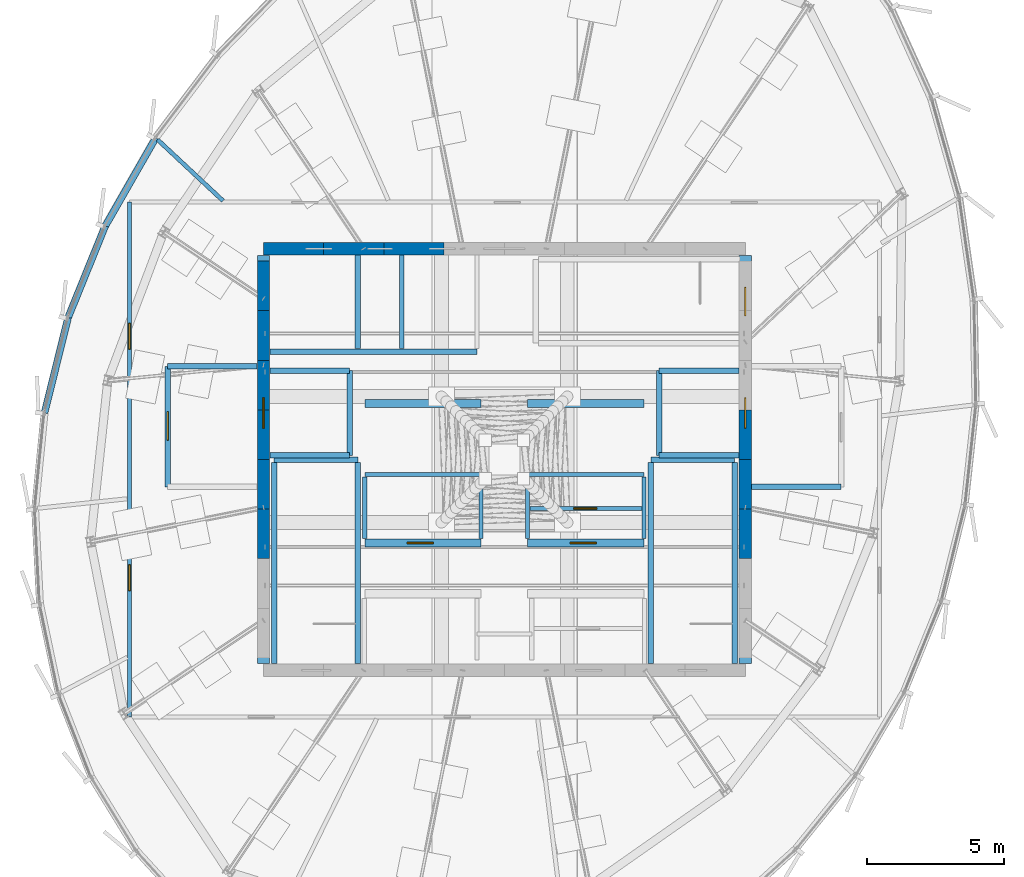
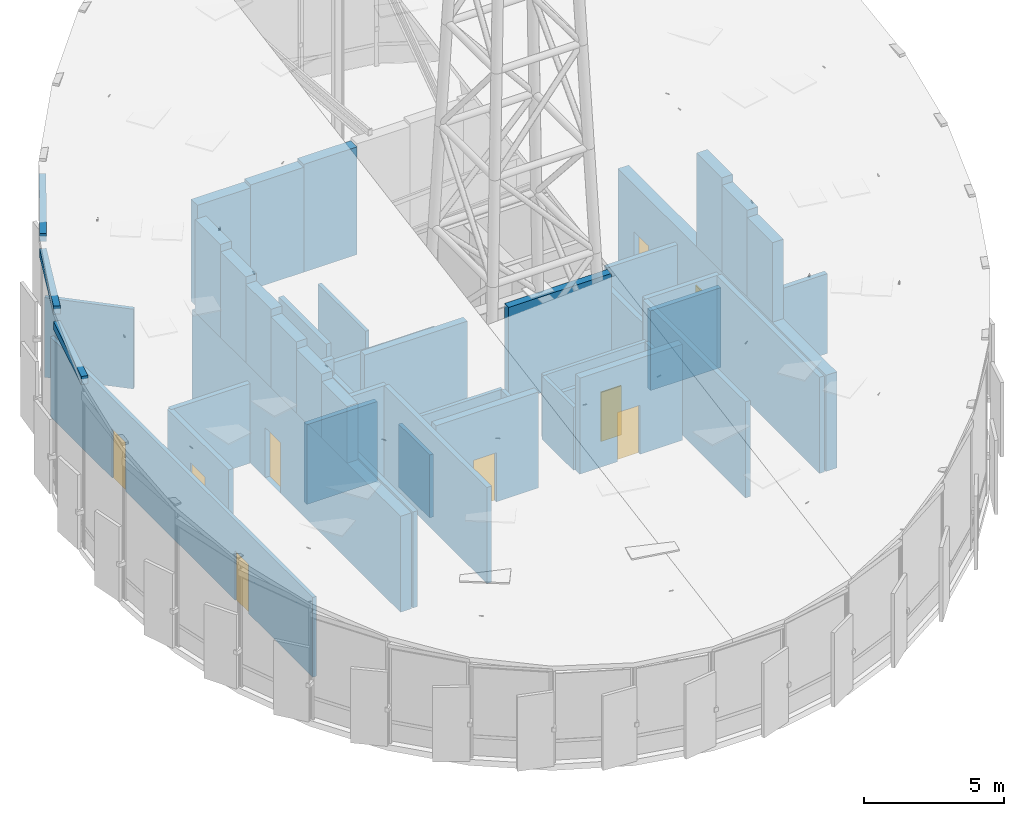
# One storey, part 33 of 36: 48 walls, 9 doors, 9 openings.
"""IFC4 building model written with IfcOpenShell, lengths in metres."""

from ifc_helpers import new_model, si_unit, direction, frame, frame_2d, origin, place, context, subcontext, project, spatial, rectangle, extrude, source, transform, mapped, material, layer, layer_set, type_object, element, fill, save


model = new_model("IFC4")

# Units and contexts
model_context = context("Model", 3, precision=1e-05, world=origin(), true_north=direction((0.0, 1.0)))
body_context = subcontext(model_context, "Body", "Model", "MODEL_VIEW")
ifc_project = project(units=[si_unit("LENGTHUNIT", "METRE"), si_unit("AREAUNIT", "SQUARE_METRE"), si_unit("VOLUMEUNIT", "CUBIC_METRE"), si_unit("PLANEANGLEUNIT", "RADIAN"), si_unit("MASSUNIT", "GRAM", prefix="KILO"), si_unit("THERMODYNAMICTEMPERATUREUNIT", "KELVIN")], contexts=[model_context])

# Site, building, storey
site_placement = place(None, origin())
site = spatial("IfcSite", under=ifc_project, at=site_placement, CompositionType="ELEMENT")
building_placement = place(site_placement, origin())
building = spatial("IfcBuilding", under=site, at=building_placement, Name="Kethvar Cultural Tower", CompositionType="ELEMENT")
storey_placement = place(building_placement, frame((0.0, 0.0, 324.300048828125)))
storey = spatial("IfcBuildingStorey", under=building, at=storey_placement, Name="L86", CompositionType="ELEMENT", Elevation=324.300048828125)

# Wall, opening, door
ifc_material_1 = material(Name="Concrete C50/60", Category="concrete")
ifc_layer_1 = layer(ifc_material_1, 0.449951171875, Name="Concrete C50/60", Category="concrete")
ifc_layer_set_1 = layer_set([ifc_layer_1], Name="Concrete C50/60 (450 mm)")
wall_type_1 = type_object("IfcWallType", Name="WL-CORE-450", PredefinedType="SHEAR", material=ifc_layer_set_1)
wall_1_placement = place(storey_placement, frame((38.0, 35.260009765625, 0.0), z_axis=(0.0, 0.0, 1.0), x_axis=(0.0, -1.0, 0.0)))
wall_1 = element("IfcWall", 1, at=wall_1_placement, inside=storey, type_object=wall_type_1, Name="L86 Core Shear Wall W", PredefinedType="SHEAR", context=body_context, shape_type="SweptSolid", body=[
    extrude(rectangle(XDim=14.919921875, YDim=0.449951171875, at=frame_2d((7.4599609375, 0.0))), origin(), (0.0, 0.0, 1.0), 4.199951171875),
])
opening_1_placement = place(wall_1_placement, frame((5.2099609375, 0.0, 0.0)))
opening_1 = element("IfcOpeningElement", 2, at=opening_1_placement, cuts=wall_1, Name="Opening LD-1", PredefinedType="OPENING", context=body_context, shape_type="SweptSolid", body=[
    extrude(rectangle(XDim=1.10009765625, YDim=2.199951171875, at=frame_2d((0.550048828125, 1.10009765625))), frame((0.0, 0.23486328125, 0.0), z_axis=(0.0, -1.0, 0.0), x_axis=(1.0, 0.0, 0.0)), (0.0, 0.0, 1.0), 0.469970703125),
])
ifc_material_2 = material(Name="Steel S355J2", Category="steel")
door_type_1 = type_object("IfcDoorType", Name="DR-LIFT-SLIDE-1100", OperationType="NOTDEFINED", PredefinedType="DOOR", material=ifc_material_2)
shared_shape_1 = source(origin(), body_context, "Body", "SweptSolid", [
    extrude(rectangle(XDim=1.10009765625, YDim=2.199951171875, at=frame_2d((0.550048828125, 1.10009765625))), frame((0.0, 0.02490234375, 0.0), z_axis=(0.0, -1.0, 0.0), x_axis=(1.0, 0.0, 0.0)), (0.0, 0.0, 1.0), 0.050048828125),
])
door_1_placement = place(opening_1_placement, origin())
door_1 = element("IfcDoor", 3, at=door_1_placement, inside=storey, type_object=door_type_1, Name="L86 Firefighting Lift Landing Door FFL-01", OperationType="SLIDING_TO_LEFT", OverallHeight=2.199951171875, OverallWidth=1.10009765625, PredefinedType="DOOR", context=body_context, shape_type="MappedRepresentation", body=[
    mapped(shared_shape_1, transform((0.0, 0.0, 0.0), scale=1.0)),
])
fill(opening_1, door_1)

# Wall, openings, doors
wall_2_placement = place(storey_placement, frame((55.60009765625, 20.340087890625, 0.0), z_axis=(0.0, 0.0, 1.0), x_axis=(0.0, 1.0, 0.0)))
wall_2 = element("IfcWall", 4, at=wall_2_placement, inside=storey, type_object=wall_type_1, Name="L86 Core Shear Wall E", PredefinedType="SHEAR", context=body_context, shape_type="SweptSolid", body=[
    extrude(rectangle(XDim=14.919921875, YDim=0.449951171875, at=frame_2d((7.4599609375, 0.0))), origin(), (0.0, 0.0, 1.0), 4.199951171875),
])
opening_2_placement = place(wall_2_placement, frame((12.7099609375, 0.0, 0.0)))
opening_2 = element("IfcOpeningElement", 5, at=opening_2_placement, cuts=wall_2, Name="Opening D-L86-S3", PredefinedType="OPENING", context=body_context, shape_type="SweptSolid", body=[
    extrude(rectangle(XDim=1.050048828125, YDim=2.14990234375, at=frame_2d((0.52490234375, 1.074951171875))), frame((0.0, 0.23486328125, 0.0), z_axis=(0.0, -1.0, 0.0), x_axis=(1.0, 0.0, 0.0)), (0.0, 0.0, 1.0), 0.469970703125),
])
opening_3_placement = place(wall_2_placement, frame((8.610107421875, 0.0, 0.0)))
opening_3 = element("IfcOpeningElement", 6, at=opening_3_placement, cuts=wall_2, Name="Opening LD-2", PredefinedType="OPENING", context=body_context, shape_type="SweptSolid", body=[
    extrude(rectangle(XDim=1.10009765625, YDim=2.199951171875, at=frame_2d((0.550048828125, 1.10009765625))), frame((0.0, 0.23486328125, 0.0), z_axis=(0.0, -1.0, 0.0), x_axis=(1.0, 0.0, 0.0)), (0.0, 0.0, 1.0), 0.469970703125),
])
door_type_2 = type_object("IfcDoorType", Name="DR-FD60-1050", OperationType="NOTDEFINED", PredefinedType="DOOR", material=ifc_material_2)
shared_shape_2 = source(origin(), body_context, "Body", "SweptSolid", [
    extrude(rectangle(XDim=1.050048828125, YDim=2.14990234375, at=frame_2d((0.52490234375, 1.074951171875))), frame((0.0, 0.02490234375, 0.0), z_axis=(0.0, -1.0, 0.0), x_axis=(1.0, 0.0, 0.0)), (0.0, 0.0, 1.0), 0.050048828125),
])
door_2_placement = place(opening_2_placement, origin())
door_2 = element("IfcDoor", 7, at=door_2_placement, inside=storey, type_object=door_type_2, Name="L86 Exit Stair 3 Door", OperationType="SINGLE_SWING_LEFT", OverallHeight=2.14990234375, OverallWidth=1.050048828125, PredefinedType="DOOR", context=body_context, shape_type="MappedRepresentation", body=[
    mapped(shared_shape_2, transform((0.0, 0.0, 0.0), scale=1.0)),
])
fill(opening_2, door_2)
door_3_placement = place(opening_3_placement, origin())
door_3 = element("IfcDoor", 8, at=door_3_placement, inside=storey, type_object=door_type_1, Name="L86 Firefighting Lift Landing Door FFL-02", OperationType="SLIDING_TO_RIGHT", OverallHeight=2.199951171875, OverallWidth=1.10009765625, PredefinedType="DOOR", context=body_context, shape_type="MappedRepresentation", body=[
    mapped(shared_shape_1, transform((0.0, 0.0, 0.0), scale=1.0)),
])
fill(opening_3, door_3)

# Walls
wall_3_placement = place(storey_placement, frame((44.60009765625, 35.5, 4.199951171875), z_axis=(0.0, 0.0, 1.0), x_axis=(-1.0, 0.0, 0.0)))
element("IfcWall", 9, at=wall_3_placement, inside=storey, type_object=wall_type_1, Name="L86 Crown Roof Core Bearing Stub N6", PredefinedType="SHEAR", context=body_context, shape_type="SweptSolid", body=[
    extrude(rectangle(XDim=2.2001953125, YDim=0.449951171875, at=frame_2d((1.10009765625, 0.0))), origin(), (0.0, 0.0, 1.0), 4.713134765625),
])
wall_4_placement = place(storey_placement, frame((42.39990234375, 35.5, 4.199951171875), z_axis=(0.0, 0.0, 1.0), x_axis=(-1.0, 0.0, 0.0)))
element("IfcWall", 10, at=wall_4_placement, inside=storey, type_object=wall_type_1, Name="L86 Crown Roof Core Bearing Stub N7", PredefinedType="SHEAR", context=body_context, shape_type="SweptSolid", body=[
    extrude(rectangle(XDim=2.199951171875, YDim=0.449951171875, at=frame_2d((1.10009765625, 0.0))), origin(), (0.0, 0.0, 1.0), 4.58740234375),
])
wall_5_placement = place(storey_placement, frame((40.199951171875, 35.5, 4.199951171875), z_axis=(0.0, 0.0, 1.0), x_axis=(-1.0, 0.0, 0.0)))
element("IfcWall", 11, at=wall_5_placement, inside=storey, type_object=wall_type_1, Name="L86 Crown Roof Core Bearing Stub N8", PredefinedType="SHEAR", context=body_context, shape_type="SweptSolid", body=[
    extrude(rectangle(XDim=2.199951171875, YDim=0.449951171875, at=frame_2d((1.10009765625, 0.0))), origin(), (0.0, 0.0, 1.0), 4.461669921875),
])
wall_6_placement = place(storey_placement, frame((38.0, 35.050048828125, 4.199951171875), z_axis=(0.0, 0.0, 1.0), x_axis=(0.0, -1.0, 0.0)))
element("IfcWall", 12, at=wall_6_placement, inside=storey, type_object=wall_type_1, Name="L86 Crown Roof Core Bearing Stub W1", PredefinedType="SHEAR", context=body_context, shape_type="SweptSolid", body=[
    extrude(rectangle(XDim=1.8125, YDim=0.449951171875, at=frame_2d((0.90625, 0.0))), origin(), (0.0, 0.0, 1.0), 4.063720703125),
])
wall_7_placement = place(storey_placement, frame((38.0, 33.237548828125, 4.199951171875), z_axis=(0.0, 0.0, 1.0), x_axis=(0.0, -1.0, 0.0)))
element("IfcWall", 13, at=wall_7_placement, inside=storey, type_object=wall_type_1, Name="L86 Crown Roof Core Bearing Stub W2", PredefinedType="SHEAR", context=body_context, shape_type="SweptSolid", body=[
    extrude(rectangle(XDim=1.8125, YDim=0.449951171875, at=frame_2d((0.90625, 0.0))), origin(), (0.0, 0.0, 1.0), 3.74462890625),
])
wall_8_placement = place(storey_placement, frame((38.0, 31.425048828125, 4.199951171875), z_axis=(0.0, 0.0, 1.0), x_axis=(0.0, -1.0, 0.0)))
element("IfcWall", 14, at=wall_8_placement, inside=storey, type_object=wall_type_1, Name="L86 Crown Roof Core Bearing Stub W3", PredefinedType="SHEAR", context=body_context, shape_type="SweptSolid", body=[
    extrude(rectangle(XDim=1.8125, YDim=0.449951171875, at=frame_2d((0.90625, 0.0))), origin(), (0.0, 0.0, 1.0), 3.42578125),
])
wall_9_placement = place(storey_placement, frame((38.0, 29.612548828125, 4.199951171875), z_axis=(0.0, 0.0, 1.0), x_axis=(0.0, -1.0, 0.0)))
element("IfcWall", 15, at=wall_9_placement, inside=storey, type_object=wall_type_1, Name="L86 Crown Roof Core Bearing Stub W4", PredefinedType="SHEAR", context=body_context, shape_type="SweptSolid", body=[
    extrude(rectangle(XDim=1.8125, YDim=0.449951171875, at=frame_2d((0.90625, 0.0))), origin(), (0.0, 0.0, 1.0), 3.10693359375),
])
wall_10_placement = place(storey_placement, frame((38.0, 27.800048828125, 4.199951171875), z_axis=(0.0, 0.0, 1.0), x_axis=(0.0, -1.0, 0.0)))
element("IfcWall", 16, at=wall_10_placement, inside=storey, type_object=wall_type_1, Name="L86 Crown Roof Core Bearing Stub W5", PredefinedType="SHEAR", context=body_context, shape_type="SweptSolid", body=[
    extrude(rectangle(XDim=1.8125, YDim=0.449951171875, at=frame_2d((0.90625, 0.0))), origin(), (0.0, 0.0, 1.0), 2.7880859375),
])
wall_11_placement = place(storey_placement, frame((38.0, 25.987548828125, 4.199951171875), z_axis=(0.0, 0.0, 1.0), x_axis=(0.0, -1.0, 0.0)))
element("IfcWall", 17, at=wall_11_placement, inside=storey, type_object=wall_type_1, Name="L86 Crown Roof Core Bearing Stub W6", PredefinedType="SHEAR", context=body_context, shape_type="SweptSolid", body=[
    extrude(rectangle(XDim=1.8125, YDim=0.449951171875, at=frame_2d((0.90625, 0.0))), origin(), (0.0, 0.0, 1.0), 2.468994140625),
])
wall_12_placement = place(storey_placement, frame((55.60009765625, 24.175048828125, 4.199951171875), z_axis=(0.0, 0.0, 1.0), x_axis=(0.0, 1.0, 0.0)))
element("IfcWall", 18, at=wall_12_placement, inside=storey, type_object=wall_type_1, Name="L86 Crown Roof Core Bearing Stub E3", PredefinedType="SHEAR", context=body_context, shape_type="SweptSolid", body=[
    extrude(rectangle(XDim=1.8125, YDim=0.449951171875, at=frame_2d((0.90625, 0.0))), origin(), (0.0, 0.0, 1.0), 3.475341796875),
])
wall_13_placement = place(storey_placement, frame((55.60009765625, 25.987548828125, 4.199951171875), z_axis=(0.0, 0.0, 1.0), x_axis=(0.0, 1.0, 0.0)))
element("IfcWall", 19, at=wall_13_placement, inside=storey, type_object=wall_type_1, Name="L86 Crown Roof Core Bearing Stub E4", PredefinedType="SHEAR", context=body_context, shape_type="SweptSolid", body=[
    extrude(rectangle(XDim=1.8125, YDim=0.449951171875, at=frame_2d((0.90625, 0.0))), origin(), (0.0, 0.0, 1.0), 3.794189453125),
])
wall_14_placement = place(storey_placement, frame((55.60009765625, 27.800048828125, 4.199951171875), z_axis=(0.0, 0.0, 1.0), x_axis=(0.0, 1.0, 0.0)))
element("IfcWall", 20, at=wall_14_placement, inside=storey, type_object=wall_type_1, Name="L86 Crown Roof Core Bearing Stub E5", PredefinedType="SHEAR", context=body_context, shape_type="SweptSolid", body=[
    extrude(rectangle(XDim=1.8125, YDim=0.449951171875, at=frame_2d((0.90625, 0.0))), origin(), (0.0, 0.0, 1.0), 4.113037109375),
])
ifc_material_3 = material(Name="Gypsum Fireboard Partition")
ifc_layer_2 = layer(ifc_material_3, 0.14990234375, Name="Gypsum Fireboard Partition")
ifc_layer_set_2 = layer_set([ifc_layer_2], Name="Gypsum Fireboard Partition (150 mm)")
wall_type_2 = type_object("IfcWallType", Name="WL-FIRE-150", PredefinedType="PARTITIONING", material=ifc_layer_set_2)
for number, where, z_axis, x_axis, name in (
    (21, (41.699951171875, 27.25, 0.0), (0.0, 0.0, 1.0), (1.0, 0.0, 0.0), "L86 Reclaimed Mid Wall W"),
    (22, (47.64990234375, 27.25, 0.0), (0.0, 0.0, 1.0), (1.0, 0.0, 0.0), "L86 Reclaimed Mid Wall E"),
):
    element("IfcWall", number, at=place(storey_placement, frame(where, z_axis=z_axis, x_axis=x_axis)), inside=storey, type_object=wall_type_2, Name=name, PredefinedType="PARTITIONING", context=body_context, shape_type="SweptSolid", body=[
        extrude(rectangle(XDim=4.25, YDim=0.14990234375, at=frame_2d((2.125, 0.0))), origin(), (0.0, 0.0, 1.0), 2.760009765625),
    ])
for number, where, z_axis, x_axis, name in (
    (23, (41.699951171875, 24.919921875, 0.0), (0.0, 0.0, 1.0), (0.0, 1.0, 0.0), "L86 Reclaimed Mid Outer W"),
    (24, (45.949951171875, 24.919921875, 0.0), (0.0, 0.0, 1.0), (0.0, 1.0, 0.0), "L86 Reclaimed Mid Spine W"),
    (25, (47.64990234375, 24.919921875, 0.0), (0.0, 0.0, 1.0), (0.0, 1.0, 0.0), "L86 Reclaimed Mid Spine E"),
    (26, (51.89990234375, 24.919921875, 0.0), (0.0, 0.0, 1.0), (0.0, 1.0, 0.0), "L86 Reclaimed Mid Outer E"),
):
    element("IfcWall", number, at=place(storey_placement, frame(where, z_axis=z_axis, x_axis=x_axis)), inside=storey, type_object=wall_type_2, Name=name, PredefinedType="PARTITIONING", context=body_context, shape_type="SweptSolid", body=[
        extrude(rectangle(XDim=2.239990234375, YDim=0.14990234375, at=frame_2d((1.1201171875, 0.0))), origin(), (0.0, 0.0, 1.0), 2.760009765625),
    ])

# Wall, opening, door
wall_15_placement = place(storey_placement, frame((47.72998046875, 26.010009765625, 0.0), z_axis=(0.0, 0.0, 1.0), x_axis=(1.0, 0.0, 0.0)))
wall_15 = element("IfcWall", 27, at=wall_15_placement, inside=storey, type_object=wall_type_2, Name="L86 Mid Gallery Wall E", PredefinedType="PARTITIONING", context=body_context, shape_type="SweptSolid", body=[
    extrude(rectangle(XDim=4.090087890625, YDim=0.14990234375, at=frame_2d((2.044921875, 0.0))), origin(), (0.0, 0.0, 1.0), 2.760009765625),
])
opening_4_placement = place(wall_15_placement, frame((1.60009765625, 0.0, 0.0)))
opening_4 = element("IfcOpeningElement", 28, at=opening_4_placement, cuts=wall_15, Name="Opening D-L86-M3", PredefinedType="OPENING", context=body_context, shape_type="SweptSolid", body=[
    extrude(rectangle(XDim=0.85009765625, YDim=2.14990234375, at=frame_2d((0.425048828125, 1.074951171875))), frame((0.0, 0.0849609375, 0.0), z_axis=(0.0, -1.0, 0.0), x_axis=(1.0, 0.0, 0.0)), (0.0, 0.0, 1.0), 0.169921875),
])
door_type_3 = type_object("IfcDoorType", Name="DR-FD30-850", OperationType="NOTDEFINED", PredefinedType="DOOR", material=ifc_material_2)
shared_shape_3 = source(origin(), body_context, "Body", "SweptSolid", [
    extrude(rectangle(XDim=0.85009765625, YDim=2.14990234375, at=frame_2d((0.425048828125, 1.074951171875))), frame((0.0, 0.02490234375, 0.0), z_axis=(0.0, -1.0, 0.0), x_axis=(1.0, 0.0, 0.0)), (0.0, 0.0, 1.0), 0.050048828125),
])
door_4_placement = place(opening_4_placement, origin())
door_4 = element("IfcDoor", 29, at=door_4_placement, inside=storey, type_object=door_type_3, Name="L86 UPS Inner Door", OperationType="SINGLE_SWING_RIGHT", OverallHeight=2.14990234375, OverallWidth=0.85009765625, PredefinedType="DOOR", context=body_context, shape_type="MappedRepresentation", body=[
    mapped(shared_shape_3, transform((0.0, 0.0, 0.0), scale=1.0)),
])
fill(opening_4, door_4)

# Wall, openings, doors
wall_16_placement = place(storey_placement, frame((33.10009765625, 37.199951171875, 0.0), z_axis=(0.0, 0.0, 1.0), x_axis=(0.0, -1.0, 0.0)))
wall_16 = element("IfcWall", 30, at=wall_16_placement, inside=storey, type_object=wall_type_2, Name="L86 Corridor Rated Wall W", PredefinedType="PARTITIONING", context=body_context, shape_type="SweptSolid", body=[
    extrude(rectangle(XDim=18.800048828125, YDim=0.14990234375, at=frame_2d((9.39990234375, 0.0))), origin(), (0.0, 0.0, 1.0), 3.489990234375),
])
opening_5_placement = place(wall_16_placement, frame((13.247314453125, 0.0, 0.0)))
opening_5 = element("IfcOpeningElement", 31, at=opening_5_placement, cuts=wall_16, Name="Opening D-L86-01", PredefinedType="OPENING", context=body_context, shape_type="SweptSolid", body=[
    extrude(rectangle(XDim=0.949951171875, YDim=2.14990234375, at=frame_2d((0.47509765625, 1.074951171875))), frame((0.0, 0.0849609375, 0.0), z_axis=(0.0, -1.0, 0.0), x_axis=(1.0, 0.0, 0.0)), (0.0, 0.0, 1.0), 0.169921875),
])
opening_6_placement = place(wall_16_placement, frame((4.428466796875, 0.0, 0.0)))
opening_6 = element("IfcOpeningElement", 32, at=opening_6_placement, cuts=wall_16, Name="Opening D-L86-10", PredefinedType="OPENING", context=body_context, shape_type="SweptSolid", body=[
    extrude(rectangle(XDim=0.949951171875, YDim=2.14990234375, at=frame_2d((0.47509765625, 1.074951171875))), frame((0.0, 0.0849609375, 0.0), z_axis=(0.0, -1.0, 0.0), x_axis=(1.0, 0.0, 0.0)), (0.0, 0.0, 1.0), 0.169921875),
])
ifc_material_4 = material(Name="Architectural Oak Timber", Category="wood")
door_type_4 = type_object("IfcDoorType", Name="DR-FD30-950", OperationType="NOTDEFINED", PredefinedType="DOOR", material=ifc_material_4)
shared_shape_4 = source(origin(), body_context, "Body", "SweptSolid", [
    extrude(rectangle(XDim=0.949951171875, YDim=2.14990234375, at=frame_2d((0.47509765625, 1.074951171875))), frame((0.0, 0.02490234375, 0.0), z_axis=(0.0, -1.0, 0.0), x_axis=(1.0, 0.0, 0.0)), (0.0, 0.0, 1.0), 0.050048828125),
])
door_5_placement = place(opening_5_placement, origin())
door_5 = element("IfcDoor", 33, at=door_5_placement, inside=storey, type_object=door_type_4, Name="L86 Crown Chiller Plant Room 01 Door", OperationType="SINGLE_SWING_LEFT", OverallHeight=2.14990234375, OverallWidth=0.949951171875, PredefinedType="DOOR", context=body_context, shape_type="MappedRepresentation", body=[
    mapped(shared_shape_4, transform((0.0, 0.0, 0.0), scale=1.0)),
])
fill(opening_5, door_5)
door_6_placement = place(opening_6_placement, origin())
door_6 = element("IfcDoor", 34, at=door_6_placement, inside=storey, type_object=door_type_4, Name="L86 Telemetry Equipment Plant Room 10 Door", OperationType="SINGLE_SWING_RIGHT", OverallHeight=2.14990234375, OverallWidth=0.949951171875, PredefinedType="DOOR", context=body_context, shape_type="MappedRepresentation", body=[
    mapped(shared_shape_4, transform((0.0, 0.0, 0.0), scale=1.0)),
])
fill(opening_6, door_6)

# Walls
wall_17_placement = place(storey_placement, frame((36.51806640625, 37.254638671875, 0.0), z_axis=(0.0, 0.0, 1.0), x_axis=(-0.730921171685, 0.682461896946, 0.0)))
element("IfcWall", 35, at=wall_17_placement, inside=storey, type_object=wall_type_2, Name="L86 Radial Partition Wall 10", PredefinedType="PARTITIONING", context=body_context, shape_type="SweptSolid", body=[
    extrude(rectangle(XDim=3.269775390625, YDim=0.14990234375, at=frame_2d((1.634765625, 0.0))), origin(), (0.0, 0.0, 1.0), 3.489990234375),
])
ifc_material_5 = material(Name="Concrete C40/50", Category="concrete")
ifc_layer_3 = layer(ifc_material_5, 0.199951171875, Name="Concrete C40/50", Category="concrete")
ifc_layer_set_3 = layer_set([ifc_layer_3], Name="Concrete C40/50 (200 mm)")
wall_type_3 = type_object("IfcWallType", Name="WL-FIRE-200", PredefinedType="PARTITIONING", material=ifc_layer_set_3)
wall_18_placement = place(storey_placement, frame((41.14990234375, 27.949951171875, 0.0), z_axis=(0.0, 0.0, 1.0), x_axis=(0.0, 1.0, 0.0)))
element("IfcWall", 36, at=wall_18_placement, inside=storey, type_object=wall_type_3, Name="L86 FFL-01 Shaft Inner Wall", PredefinedType="PARTITIONING", context=body_context, shape_type="SweptSolid", body=[
    extrude(rectangle(XDim=3.10009765625, YDim=0.199951171875, at=frame_2d((1.550048828125, 0.0))), origin(), (0.0, 0.0, 1.0), 2.760009765625),
])
for number, where, z_axis, x_axis, name in (
    (37, (38.235107421875, 27.949951171875, 0.0), (0.0, 0.0, 1.0), (1.0, 0.0, 0.0), "L86 FFL-01 Shaft South Wall"),
    (38, (38.235107421875, 31.050048828125, 0.0), (0.0, 0.0, 1.0), (1.0, 0.0, 0.0), "L86 FFL-01 Shaft North Wall"),
):
    element("IfcWall", number, at=place(storey_placement, frame(where, z_axis=z_axis, x_axis=x_axis)), inside=storey, type_object=wall_type_3, Name=name, PredefinedType="PARTITIONING", context=body_context, shape_type="SweptSolid", body=[
        extrude(rectangle(XDim=2.914794921875, YDim=0.199951171875, at=frame_2d((1.45751953125, 0.0))), origin(), (0.0, 0.0, 1.0), 3.489990234375),
    ])

# Wall, opening, door
wall_19_placement = place(storey_placement, frame((34.5, 31.199951171875, 0.0), z_axis=(0.0, 0.0, 1.0), x_axis=(0.0, -1.0, 0.0)))
wall_19 = element("IfcWall", 39, at=wall_19_placement, inside=storey, type_object=wall_type_3, Name="L86 Firefighting Lobby 1 Wall", PredefinedType="PARTITIONING", context=body_context, shape_type="SweptSolid", body=[
    extrude(rectangle(XDim=4.39990234375, YDim=0.199951171875, at=frame_2d((2.199951171875, 0.0))), origin(), (0.0, 0.0, 1.0), 3.489990234375),
])
opening_7_placement = place(wall_19_placement, frame((1.64990234375, 0.0, 0.0)))
opening_7 = element("IfcOpeningElement", 40, at=opening_7_placement, cuts=wall_19, Name="Opening D-L86-F1", PredefinedType="OPENING", context=body_context, shape_type="SweptSolid", body=[
    extrude(rectangle(XDim=1.050048828125, YDim=2.14990234375, at=frame_2d((0.52490234375, 1.074951171875))), frame((0.0, 0.10986328125, 0.0), z_axis=(0.0, -1.0, 0.0), x_axis=(1.0, 0.0, 0.0)), (0.0, 0.0, 1.0), 0.219970703125),
])
door_7_placement = place(opening_7_placement, origin())
door_7 = element("IfcDoor", 41, at=door_7_placement, inside=storey, type_object=door_type_2, Name="L86 Firefighting Lobby 1 Fire Door", OperationType="SINGLE_SWING_LEFT", OverallHeight=2.14990234375, OverallWidth=1.050048828125, PredefinedType="DOOR", context=body_context, shape_type="MappedRepresentation", body=[
    mapped(shared_shape_2, transform((0.0, 0.0, 0.0), scale=1.0)),
])
fill(opening_7, door_7)

# Walls
wall_20_placement = place(storey_placement, frame((34.5, 31.199951171875, 0.0), z_axis=(0.0, 0.0, 1.0), x_axis=(1.0, 0.0, 0.0)))
element("IfcWall", 42, at=wall_20_placement, inside=storey, type_object=wall_type_3, Name="L86 FF Lobby 1 North Wall", PredefinedType="PARTITIONING", context=body_context, shape_type="SweptSolid", body=[
    extrude(rectangle(XDim=3.264892578125, YDim=0.199951171875, at=frame_2d((1.63232421875, 0.0))), origin(), (0.0, 0.0, 1.0), 3.489990234375),
])
wall_21_placement = place(storey_placement, frame((52.449951171875, 27.949951171875, 0.0), z_axis=(0.0, 0.0, 1.0), x_axis=(0.0, 1.0, 0.0)))
element("IfcWall", 43, at=wall_21_placement, inside=storey, type_object=wall_type_3, Name="L86 FFL-02 Shaft Inner Wall", PredefinedType="PARTITIONING", context=body_context, shape_type="SweptSolid", body=[
    extrude(rectangle(XDim=3.10009765625, YDim=0.199951171875, at=frame_2d((1.550048828125, 0.0))), origin(), (0.0, 0.0, 1.0), 2.760009765625),
])
for number, where, z_axis, x_axis, name in (
    (44, (52.449951171875, 27.949951171875, 0.0), (0.0, 0.0, 1.0), (1.0, 0.0, 0.0), "L86 FFL-02 Shaft South Wall"),
    (45, (52.449951171875, 31.050048828125, 0.0), (0.0, 0.0, 1.0), (1.0, 0.0, 0.0), "L86 FFL-02 Shaft North Wall"),
):
    element("IfcWall", number, at=place(storey_placement, frame(where, z_axis=z_axis, x_axis=x_axis)), inside=storey, type_object=wall_type_3, Name=name, PredefinedType="PARTITIONING", context=body_context, shape_type="SweptSolid", body=[
        extrude(rectangle(XDim=2.9150390625, YDim=0.199951171875, at=frame_2d((1.45751953125, 0.0))), origin(), (0.0, 0.0, 1.0), 3.489990234375),
    ])
wall_22_placement = place(storey_placement, frame((55.8349609375, 26.800048828125, 0.0), z_axis=(0.0, 0.0, 1.0), x_axis=(1.0, 0.0, 0.0)))
element("IfcWall", 46, at=wall_22_placement, inside=storey, type_object=wall_type_3, Name="L86 FF Lobby 2 South Wall", PredefinedType="PARTITIONING", context=body_context, shape_type="SweptSolid", body=[
    extrude(rectangle(XDim=3.26513671875, YDim=0.199951171875, at=frame_2d((1.632568359375, 0.0))), origin(), (0.0, 0.0, 1.0), 3.489990234375),
])
wall_23_placement = place(storey_placement, frame((41.449951171875, 31.85009765625, 0.0), z_axis=(0.0, 0.0, 1.0), x_axis=(0.0, 1.0, 0.0)))
element("IfcWall", 47, at=wall_23_placement, inside=storey, type_object=wall_type_3, Name="L86 NW Core Pocket Wall", PredefinedType="PARTITIONING", context=body_context, shape_type="SweptSolid", body=[
    extrude(rectangle(XDim=3.414794921875, YDim=0.199951171875, at=frame_2d((1.70751953125, 0.0))), origin(), (0.0, 0.0, 1.0), 3.489990234375),
])
wall_24_placement = place(storey_placement, frame((38.235107421875, 31.72998046875, 0.0), z_axis=(0.0, 0.0, 1.0), x_axis=(1.0, 0.0, 0.0)))
element("IfcWall", 48, at=wall_24_placement, inside=storey, type_object=wall_type_3, Name="L86 North Core Sanitary South Wall", PredefinedType="PARTITIONING", context=body_context, shape_type="SweptSolid", body=[
    extrude(rectangle(XDim=7.56494140625, YDim=0.199951171875, at=frame_2d((3.782470703125, 0.0))), origin(), (0.0, 0.0, 1.0), 2.760009765625),
])
ifc_material_6 = material(Name="Precast concrete C40/50", Category="concrete")
ifc_layer_4 = layer(ifc_material_6, 0.25, Name="Precast concrete C40/50", Category="concrete")
ifc_layer_set_4 = layer_set([ifc_layer_4], Name="Precast concrete C40/50 (250 mm)")
wall_type_4 = type_object("IfcWallType", Name="WL-PARAPET-250", PredefinedType="PARAPET", material=ifc_layer_set_4)
wall_25_placement = place(storey_placement, frame((34.065185546875, 39.551025390625, 8.479736328125), z_axis=(0.0, 0.0, 1.0), x_axis=(-0.496977942781, -0.867763172985, 0.0)))
element("IfcWall", 49, at=wall_25_placement, inside=storey, type_object=wall_type_4, Name="Crown Sloped Eave Spandrel Wall FS-08", PredefinedType="PARAPET", context=body_context, shape_type="SweptSolid", body=[
    extrude(rectangle(XDim=3.72802734375, YDim=0.25, at=frame_2d((1.864013671875, 0.0))), origin(), (0.0, 0.0, 1.0), 0.357421875),
])
wall_26_placement = place(storey_placement, frame((32.220703125, 36.332763671875, 7.81005859375), z_axis=(0.0, 0.0, 1.0), x_axis=(-0.375539569533, -0.926806361499, 0.0)))
element("IfcWall", 50, at=wall_26_placement, inside=storey, type_object=wall_type_4, Name="Crown Sloped Eave Spandrel Wall FS-09", PredefinedType="PARAPET", context=body_context, shape_type="SweptSolid", body=[
    extrude(rectangle(XDim=3.62890625, YDim=0.25, at=frame_2d((1.814453125, 0.0))), origin(), (0.0, 0.0, 1.0), 0.354736328125),
])
wall_27_placement = place(storey_placement, frame((30.864013671875, 32.988525390625, 7.147705078125), z_axis=(0.0, 0.0, 1.0), x_axis=(-0.240198045356, -0.970723904623, 0.0)))
element("IfcWall", 51, at=wall_27_placement, inside=storey, type_object=wall_type_4, Name="Crown Sloped Eave Spandrel Wall FS-10", PredefinedType="PARAPET", context=body_context, shape_type="SweptSolid", body=[
    extrude(rectangle(XDim=3.5888671875, YDim=0.25, at=frame_2d((1.79443359375, 0.0))), origin(), (0.0, 0.0, 1.0), 0.35107421875),
])
ifc_material_7 = material(Name="Moisture-Resistant Sanitary Chase Wall")
ifc_layer_5 = layer(ifc_material_7, 0.14990234375, Name="Moisture-Resistant Sanitary Chase Wall")
ifc_layer_set_5 = layer_set([ifc_layer_5], Name="Moisture-Resistant Sanitary Chase Wall (150 mm)")
wall_type_5 = type_object("IfcWallType", Name="WL-PLUMB-150", PredefinedType="PLUMBINGWALL", material=ifc_layer_set_5)
wall_28_placement = place(storey_placement, frame((43.050048828125, 31.85009765625, 0.0), z_axis=(0.0, 0.0, 1.0), x_axis=(0.0, 1.0, 0.0)))
element("IfcWall", 52, at=wall_28_placement, inside=storey, type_object=wall_type_5, Name="L86 Sanitary Plumbing Wall", PredefinedType="PLUMBINGWALL", context=body_context, shape_type="SweptSolid", body=[
    extrude(rectangle(XDim=3.414794921875, YDim=0.14990234375, at=frame_2d((1.70751953125, 0.0))), origin(), (0.0, 0.0, 1.0), 3.489990234375),
])

# Wall, opening, door
ifc_layer_6 = layer(ifc_material_1, 0.300048828125, Name="Concrete C50/60", Category="concrete")
ifc_layer_set_6 = layer_set([ifc_layer_6], Name="Concrete C50/60 (300 mm)")
wall_type_6 = type_object("IfcWallType", Name="WL-SHAFT-300", PredefinedType="SHEAR", material=ifc_layer_set_6)
wall_29_placement = place(storey_placement, frame((41.699951171875, 24.75, 0.0), z_axis=(0.0, 0.0, 1.0), x_axis=(1.0, 0.0, 0.0)))
wall_29 = element("IfcWall", 53, at=wall_29_placement, inside=storey, type_object=wall_type_6, Name="L86 Core Lift Spine Wall MID2W", PredefinedType="SHEAR", context=body_context, shape_type="SweptSolid", body=[
    extrude(rectangle(XDim=4.25, YDim=0.300048828125, at=frame_2d((2.125, 0.0))), origin(), (0.0, 0.0, 1.0), 4.199951171875),
])
opening_8_placement = place(wall_29_placement, frame((1.550048828125, 0.0, 0.0)))
opening_8 = element("IfcOpeningElement", 54, at=opening_8_placement, cuts=wall_29, Name="Opening D-L86-M1", PredefinedType="OPENING", context=body_context, shape_type="SweptSolid", body=[
    extrude(rectangle(XDim=0.949951171875, YDim=2.14990234375, at=frame_2d((0.47509765625, 1.074951171875))), frame((0.0, 0.159912109375, 0.0), z_axis=(0.0, -1.0, 0.0), x_axis=(1.0, 0.0, 0.0)), (0.0, 0.0, 1.0), 0.320068359375),
])
door_8_placement = place(opening_8_placement, origin())
door_8 = element("IfcDoor", 55, at=door_8_placement, inside=storey, type_object=door_type_4, Name="L86 Broadcast Rack Door", OperationType="SINGLE_SWING_LEFT", OverallHeight=2.14990234375, OverallWidth=0.949951171875, PredefinedType="DOOR", context=body_context, shape_type="MappedRepresentation", body=[
    mapped(shared_shape_4, transform((0.0, 0.0, 0.0), scale=1.0)),
])
fill(opening_8, door_8)

wall_30_placement = place(storey_placement, frame((47.64990234375, 24.75, 0.0), z_axis=(0.0, 0.0, 1.0), x_axis=(1.0, 0.0, 0.0)))
wall_30 = element("IfcWall", 56, at=wall_30_placement, inside=storey, type_object=wall_type_6, Name="L86 Core Lift Spine Wall MID2E", PredefinedType="SHEAR", context=body_context, shape_type="SweptSolid", body=[
    extrude(rectangle(XDim=4.25, YDim=0.300048828125, at=frame_2d((2.125, 0.0))), origin(), (0.0, 0.0, 1.0), 4.199951171875),
])
opening_9_placement = place(wall_30_placement, frame((1.550048828125, 0.0, 0.0)))
opening_9 = element("IfcOpeningElement", 57, at=opening_9_placement, cuts=wall_30, Name="Opening D-L86-M2", PredefinedType="OPENING", context=body_context, shape_type="SweptSolid", body=[
    extrude(rectangle(XDim=0.949951171875, YDim=2.14990234375, at=frame_2d((0.47509765625, 1.074951171875))), frame((0.0, 0.159912109375, 0.0), z_axis=(0.0, -1.0, 0.0), x_axis=(1.0, 0.0, 0.0)), (0.0, 0.0, 1.0), 0.320068359375),
])
door_9_placement = place(opening_9_placement, origin())
door_9 = element("IfcDoor", 58, at=door_9_placement, inside=storey, type_object=door_type_4, Name="L86 UPS Closet Door", OperationType="SINGLE_SWING_RIGHT", OverallHeight=2.14990234375, OverallWidth=0.949951171875, PredefinedType="DOOR", context=body_context, shape_type="MappedRepresentation", body=[
    mapped(shared_shape_4, transform((0.0, 0.0, 0.0), scale=1.0)),
])
fill(opening_9, door_9)

# Walls
for number, where, z_axis, x_axis, name in (
    (59, (41.699951171875, 29.85009765625, 0.0), (0.0, 0.0, 1.0), (1.0, 0.0, 0.0), "L86 Core Lift Spine Wall MID3W"),
    (60, (47.64990234375, 29.85009765625, 0.0), (0.0, 0.0, 1.0), (1.0, 0.0, 0.0), "L86 Core Lift Spine Wall MID3E"),
):
    element("IfcWall", number, at=place(storey_placement, frame(where, z_axis=z_axis, x_axis=x_axis)), inside=storey, type_object=wall_type_6, Name=name, PredefinedType="SHEAR", context=body_context, shape_type="SweptSolid", body=[
        extrude(rectangle(XDim=4.25, YDim=0.300048828125, at=frame_2d((2.125, 0.0))), origin(), (0.0, 0.0, 1.0), 4.199951171875),
    ])
ifc_layer_7 = layer(ifc_material_1, 0.199951171875, Name="Concrete C50/60", Category="concrete")
ifc_layer_set_7 = layer_set([ifc_layer_7], Name="Concrete C50/60 (200 mm)")
wall_type_7 = type_object("IfcWallType", Name="WL-STSHAFT-200", PredefinedType="SHEAR", material=ifc_layer_set_7)
wall_31_placement = place(storey_placement, frame((38.389892578125, 27.800048828125, 0.0), z_axis=(0.0, 0.0, 1.0), x_axis=(1.0, 0.0, 0.0)))
element("IfcWall", 61, at=wall_31_placement, inside=storey, type_object=wall_type_7, Name="L86 ST-01 Stair Shaft Wall FAR", PredefinedType="SHEAR", context=body_context, shape_type="SweptSolid", body=[
    extrude(rectangle(XDim=3.06005859375, YDim=0.199951171875, at=frame_2d((1.530029296875, 0.0))), origin(), (0.0, 0.0, 1.0), 4.199951171875),
])
for number, where, z_axis, x_axis, name in (
    (62, (41.449951171875, 27.699951171875, 0.0), (0.0, 0.0, 1.0), (0.0, -1.0, 0.0), "L86 ST-01 Stair Shaft Wall LEFT"),
    (63, (38.389892578125, 20.35009765625, 0.0), (0.0, 0.0, 1.0), (0.0, 1.0, 0.0), "L86 ST-01 Stair Shaft Wall RIGHT"),
):
    element("IfcWall", number, at=place(storey_placement, frame(where, z_axis=z_axis, x_axis=x_axis)), inside=storey, type_object=wall_type_7, Name=name, PredefinedType="SHEAR", context=body_context, shape_type="SweptSolid", body=[
        extrude(rectangle(XDim=7.349853515625, YDim=0.199951171875, at=frame_2d((3.6748046875, 0.0))), origin(), (0.0, 0.0, 1.0), 4.199951171875),
    ])
wall_32_placement = place(storey_placement, frame((52.14990234375, 27.800048828125, 0.0), z_axis=(0.0, 0.0, 1.0), x_axis=(1.0, 0.0, 0.0)))
element("IfcWall", 64, at=wall_32_placement, inside=storey, type_object=wall_type_7, Name="L86 ST-02 Stair Shaft Wall FAR", PredefinedType="SHEAR", context=body_context, shape_type="SweptSolid", body=[
    extrude(rectangle(XDim=3.06005859375, YDim=0.199951171875, at=frame_2d((1.530029296875, 0.0))), origin(), (0.0, 0.0, 1.0), 4.199951171875),
])
for number, where, z_axis, x_axis, name in (
    (65, (55.2099609375, 27.699951171875, 0.0), (0.0, 0.0, 1.0), (0.0, -1.0, 0.0), "L86 ST-02 Stair Shaft Wall LEFT"),
    (66, (52.14990234375, 20.35009765625, 0.0), (0.0, 0.0, 1.0), (0.0, 1.0, 0.0), "L86 ST-02 Stair Shaft Wall RIGHT"),
):
    element("IfcWall", number, at=place(storey_placement, frame(where, z_axis=z_axis, x_axis=x_axis)), inside=storey, type_object=wall_type_7, Name=name, PredefinedType="SHEAR", context=body_context, shape_type="SweptSolid", body=[
        extrude(rectangle(XDim=7.349853515625, YDim=0.199951171875, at=frame_2d((3.6748046875, 0.0))), origin(), (0.0, 0.0, 1.0), 4.199951171875),
    ])

save(model, "model.ifc")
